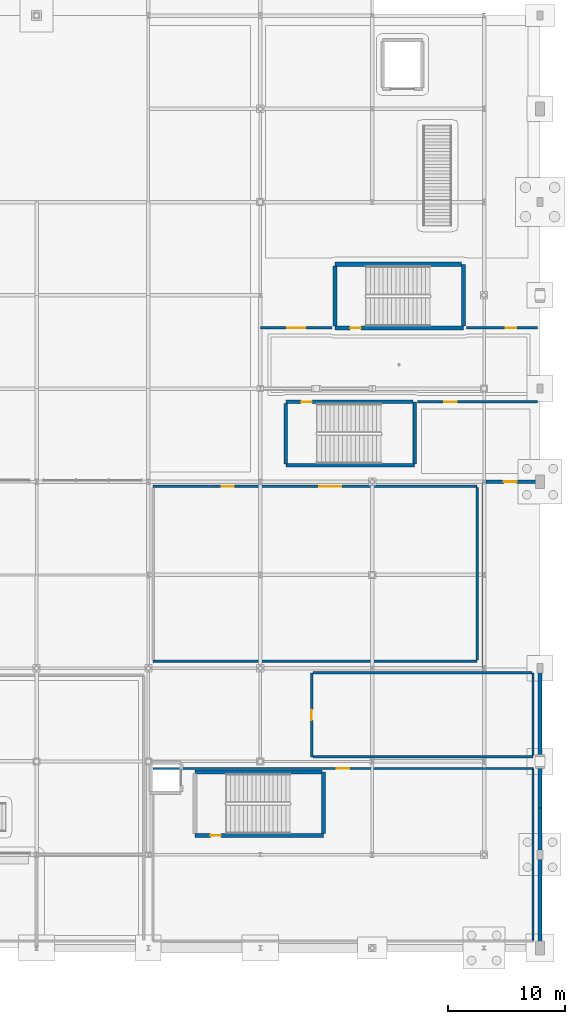
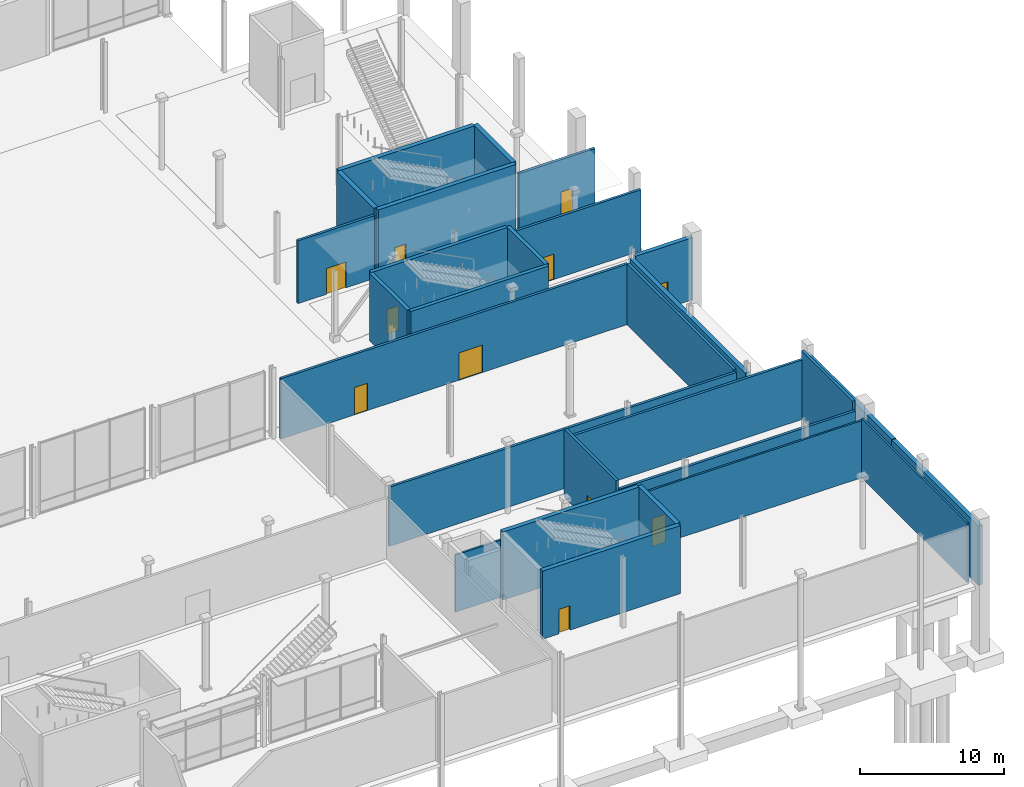
# One storey, part 82 of 124: 27 walls, 11 doors, 11 openings.
"""IFC4 building model written with IfcOpenShell, lengths in metres."""

from ifc_helpers import new_model, si_unit, direction, frame, frame_2d, origin, place, context, subcontext, project, spatial, rectangle, extrude, material, layer, layer_set, type_object, element, fill, save


model = new_model("IFC4")

# Units and contexts
model_context = context("Model", 3, precision=1e-05, world=origin(), true_north=direction((0.0, 1.0)))
body_context = subcontext(model_context, "Body", "Model", "MODEL_VIEW")
ifc_project = project(units=[si_unit("LENGTHUNIT", "METRE"), si_unit("AREAUNIT", "SQUARE_METRE"), si_unit("VOLUMEUNIT", "CUBIC_METRE"), si_unit("PLANEANGLEUNIT", "RADIAN"), si_unit("MASSUNIT", "GRAM", prefix="KILO")], contexts=[model_context])

# Site, building, storey
site_placement = place(None, origin())
site = spatial("IfcSite", under=ifc_project, at=site_placement, CompositionType="ELEMENT")
building_placement = place(site_placement, origin())
building = spatial("IfcBuilding", under=site, at=building_placement, Name="Danafjord Basin Convention Centre", CompositionType="ELEMENT")
storey_placement = place(building_placement, origin())
storey = spatial("IfcBuildingStorey", under=building, at=storey_placement, Name="L00", CompositionType="ELEMENT", Elevation=0.0)

# Walls
ifc_material_1 = material(Name="Concrete C40/50", Category="concrete")
ifc_layer_1 = layer(ifc_material_1, 0.300048828125)
ifc_layer_set_1 = layer_set([ifc_layer_1], Name="Concrete C40/50")
wall_type_1 = type_object("IfcWallType", Name="WALL-CW-CORE300", PredefinedType="SHEAR", material=ifc_layer_set_1)
wall_1_placement = place(storey_placement, frame((205.239990234375, 41.39990234375, 0.0), z_axis=(0.0, 0.0, 1.0), x_axis=(-1.0, 0.0, 0.0)))
element("IfcWall", 1, at=wall_1_placement, inside=storey, type_object=wall_type_1, Name="Ballroom South-East Escape Stair core shear wall (south)", PredefinedType="SHEAR", context=body_context, shape_type="SweptSolid", body=[
    extrude(rectangle(XDim=11.0400390625, YDim=0.300048828125, at=frame_2d((5.52001953125, 0.0))), origin(), (0.0, 0.0, 1.0), 5.75),
])
wall_2_placement = place(storey_placement, frame((205.239990234375, 46.860107421875, 0.0), z_axis=(0.0, 0.0, 1.0), x_axis=(0.0, -1.0, 0.0)))
element("IfcWall", 2, at=wall_2_placement, inside=storey, type_object=wall_type_1, Name="Ballroom South-East Escape Stair core shear wall (east)", PredefinedType="SHEAR", context=body_context, shape_type="SweptSolid", body=[
    extrude(rectangle(XDim=5.3251953125, YDim=0.300048828125, at=frame_2d((2.66259765625, 0.0))), origin(), (0.0, 0.0, 1.0), 5.75),
])

# Wall, opening, door
wall_3_placement = place(storey_placement, frame((194.199951171875, 46.860107421875, 0.0), z_axis=(0.0, 0.0, 1.0), x_axis=(1.0, 0.0, 0.0)))
wall_3 = element("IfcWall", 3, at=wall_3_placement, inside=storey, type_object=wall_type_1, Name="Ballroom South-East Escape Stair core shear wall (north)", PredefinedType="SHEAR", context=body_context, shape_type="SweptSolid", body=[
    extrude(rectangle(XDim=10.905029296875, YDim=0.300048828125, at=frame_2d((5.45263671875, 0.0))), origin(), (0.0, 0.0, 1.0), 5.75),
])
opening_1_placement = place(wall_3_placement, frame((1.31103515625, 0.0, 0.0)))
opening_1 = element("IfcOpeningElement", 4, at=opening_1_placement, cuts=wall_3, Name="Opening FD-S01", PredefinedType="OPENING", context=body_context, shape_type="SweptSolid", body=[
    extrude(rectangle(XDim=0.909912109375, YDim=2.080078125, at=frame_2d((0.455078125, 1.0400390625))), frame((0.0, 0.159912109375, 0.0), z_axis=(0.0, -1.0, 0.0), x_axis=(1.0, 0.0, 0.0)), (0.0, 0.0, 1.0), 0.320068359375),
])
ifc_material_2 = material(Name="Powder-coated steel and Nordic oak", Category="steel")
door_type_1 = type_object("IfcDoorType", Name="DOOR-FD-S01", OperationType="NOTDEFINED", PredefinedType="DOOR", material=ifc_material_2)
door_1_placement = place(opening_1_placement, origin())
door_1 = element("IfcDoor", 5, at=door_1_placement, inside=storey, type_object=door_type_1, Name="Ballroom South-East Escape Stair L00 Fire Exit Door", OperationType="SINGLE_SWING_LEFT", OverallHeight=2.080078125, OverallWidth=0.909912109375, PredefinedType="DOOR", context=body_context, shape_type="SweptSolid", body=[
    extrude(rectangle(XDim=0.909912109375, YDim=2.080078125, at=frame_2d((0.455078125, 1.0400390625))), frame((0.0, 0.02490234375, 0.0), z_axis=(0.0, -1.0, 0.0), x_axis=(1.0, 0.0, 0.0)), (0.0, 0.0, 1.0), 0.050048828125),
])
fill(opening_1, door_1)

# Wall
wall_4_placement = place(storey_placement, frame((194.199951171875, 41.534912109375, 0.0), z_axis=(0.0, 0.0, 1.0), x_axis=(0.0, 1.0, 0.0)))
element("IfcWall", 6, at=wall_4_placement, inside=storey, type_object=wall_type_1, Name="Ballroom South-East Escape Stair core shear wall (west)", PredefinedType="SHEAR", context=body_context, shape_type="SweptSolid", body=[
    extrude(rectangle(XDim=5.190185546875, YDim=0.300048828125, at=frame_2d((2.59521484375, 0.0))), origin(), (0.0, 0.0, 1.0), 5.75),
])

# Wall, opening, door
ifc_material_3 = material(Name="Concrete C45/55", Category="concrete")
ifc_layer_2 = layer(ifc_material_3, 0.35009765625)
ifc_layer_set_2 = layer_set([ifc_layer_2], Name="Concrete C45/55")
wall_type_2 = type_object("IfcWallType", Name="WALL-CW-CORE350", PredefinedType="SHEAR", material=ifc_layer_set_2)
wall_5_placement = place(storey_placement, frame((209.43994140625, 53.199951171875, 0.0), z_axis=(0.0, 0.0, 1.0), x_axis=(-1.0, 0.0, 0.0)))
wall_5 = element("IfcWall", 7, at=wall_5_placement, inside=storey, type_object=wall_type_2, Name="Ballroom East Core Stair 1 core shear wall (south)", PredefinedType="SHEAR", context=body_context, shape_type="SweptSolid", body=[
    extrude(rectangle(XDim=11.0400390625, YDim=0.35009765625, at=frame_2d((5.52001953125, 0.0))), origin(), (0.0, 0.0, 1.0), 5.75),
])
opening_2_placement = place(wall_5_placement, frame((8.818115234375, 0.0, 0.0)))
opening_2 = element("IfcOpeningElement", 8, at=opening_2_placement, cuts=wall_5, Name="Opening FD-S01", PredefinedType="OPENING", context=body_context, shape_type="SweptSolid", body=[
    extrude(rectangle(XDim=0.909912109375, YDim=2.080078125, at=frame_2d((0.455078125, 1.0400390625))), frame((0.0, 0.18505859375, 0.0), z_axis=(0.0, -1.0, 0.0), x_axis=(1.0, 0.0, 0.0)), (0.0, 0.0, 1.0), 0.3701171875),
])
door_2_placement = place(opening_2_placement, origin())
door_2 = element("IfcDoor", 9, at=door_2_placement, inside=storey, type_object=door_type_1, Name="Ballroom East Core Stair 1 L00 Fire Exit Door", OperationType="SINGLE_SWING_LEFT", OverallHeight=2.080078125, OverallWidth=0.909912109375, PredefinedType="DOOR", context=body_context, shape_type="SweptSolid", body=[
    extrude(rectangle(XDim=0.909912109375, YDim=2.080078125, at=frame_2d((0.455078125, 1.0400390625))), frame((0.0, 0.02490234375, 0.0), z_axis=(0.0, -1.0, 0.0), x_axis=(1.0, 0.0, 0.0)), (0.0, 0.0, 1.0), 0.050048828125),
])
fill(opening_2, door_2)

# Walls
wall_6_placement = place(storey_placement, frame((209.43994140625, 58.659912109375, 0.0), z_axis=(0.0, 0.0, 1.0), x_axis=(0.0, -1.0, 0.0)))
element("IfcWall", 10, at=wall_6_placement, inside=storey, type_object=wall_type_2, Name="Ballroom East Core Stair 1 core shear wall (east)", PredefinedType="SHEAR", context=body_context, shape_type="SweptSolid", body=[
    extrude(rectangle(XDim=5.2998046875, YDim=0.35009765625, at=frame_2d((2.64990234375, 0.0))), origin(), (0.0, 0.0, 1.0), 5.75),
])
wall_7_placement = place(storey_placement, frame((198.39990234375, 58.659912109375, 0.0), z_axis=(0.0, 0.0, 1.0), x_axis=(1.0, 0.0, 0.0)))
element("IfcWall", 11, at=wall_7_placement, inside=storey, type_object=wall_type_2, Name="Ballroom East Core Stair 1 core shear wall (north)", PredefinedType="SHEAR", context=body_context, shape_type="SweptSolid", body=[
    extrude(rectangle(XDim=10.880126953125, YDim=0.35009765625, at=frame_2d((5.43994140625, 0.0))), origin(), (0.0, 0.0, 1.0), 5.75),
])
wall_8_placement = place(storey_placement, frame((198.39990234375, 53.360107421875, 0.0), z_axis=(0.0, 0.0, 1.0), x_axis=(0.0, 1.0, 0.0)))
element("IfcWall", 12, at=wall_8_placement, inside=storey, type_object=wall_type_2, Name="Ballroom East Core Stair 1 core shear wall (west)", PredefinedType="SHEAR", context=body_context, shape_type="SweptSolid", body=[
    extrude(rectangle(XDim=5.139892578125, YDim=0.35009765625, at=frame_2d((2.56982421875, 0.0))), origin(), (0.0, 0.0, 1.0), 5.75),
])

# Wall, opening, door
wall_9_placement = place(storey_placement, frame((197.43994140625, 9.64990234375, 0.0), z_axis=(0.0, 0.0, 1.0), x_axis=(-1.0, 0.0, 0.0)))
wall_9 = element("IfcWall", 13, at=wall_9_placement, inside=storey, type_object=wall_type_2, Name="Harbour Pavilion Core Stair 1 core shear wall (south)", PredefinedType="SHEAR", context=body_context, shape_type="SweptSolid", body=[
    extrude(rectangle(XDim=11.0400390625, YDim=0.35009765625, at=frame_2d((5.52001953125, 0.0))), origin(), (0.0, 0.0, 1.0), 5.77001953125),
])
opening_3_placement = place(wall_9_placement, frame((8.818115234375, 0.0, 0.0)))
opening_3 = element("IfcOpeningElement", 14, at=opening_3_placement, cuts=wall_9, Name="Opening FD-S01", PredefinedType="OPENING", context=body_context, shape_type="SweptSolid", body=[
    extrude(rectangle(XDim=0.909912109375, YDim=2.080078125, at=frame_2d((0.455078125, 1.0400390625))), frame((0.0, 0.18505859375, 0.0), z_axis=(0.0, -1.0, 0.0), x_axis=(1.0, 0.0, 0.0)), (0.0, 0.0, 1.0), 0.3701171875),
])
door_3_placement = place(opening_3_placement, origin())
door_3 = element("IfcDoor", 15, at=door_3_placement, inside=storey, type_object=door_type_1, Name="Harbour Pavilion Core Stair 1 L00 Fire Exit Door", OperationType="SINGLE_SWING_RIGHT", OverallHeight=2.080078125, OverallWidth=0.909912109375, PredefinedType="DOOR", context=body_context, shape_type="SweptSolid", body=[
    extrude(rectangle(XDim=0.909912109375, YDim=2.080078125, at=frame_2d((0.455078125, 1.0400390625))), frame((0.0, 0.02490234375, 0.0), z_axis=(0.0, -1.0, 0.0), x_axis=(1.0, 0.0, 0.0)), (0.0, 0.0, 1.0), 0.050048828125),
])
fill(opening_3, door_3)

# Walls
wall_10_placement = place(storey_placement, frame((197.43994140625, 15.110107421875, 0.0), z_axis=(0.0, 0.0, 1.0), x_axis=(0.0, -1.0, 0.0)))
element("IfcWall", 16, at=wall_10_placement, inside=storey, type_object=wall_type_2, Name="Harbour Pavilion Core Stair 1 core shear wall (east)", PredefinedType="SHEAR", context=body_context, shape_type="SweptSolid", body=[
    extrude(rectangle(XDim=5.300048828125, YDim=0.35009765625, at=frame_2d((2.64990234375, 0.0))), origin(), (0.0, 0.0, 1.0), 5.77001953125),
])
wall_11_placement = place(storey_placement, frame((186.39990234375, 15.110107421875, 0.0), z_axis=(0.0, 0.0, 1.0), x_axis=(1.0, 0.0, 0.0)))
element("IfcWall", 17, at=wall_11_placement, inside=storey, type_object=wall_type_2, Name="Harbour Pavilion Core Stair 1 core shear wall (north)", PredefinedType="SHEAR", context=body_context, shape_type="SweptSolid", body=[
    extrude(rectangle(XDim=10.880126953125, YDim=0.35009765625, at=frame_2d((5.43994140625, 0.0))), origin(), (0.0, 0.0, 1.0), 5.77001953125),
])
ifc_material_4 = material(Name="Precast concrete C40/50", Category="concrete")
ifc_layer_3 = layer(ifc_material_4, 0.340087890625)
ifc_layer_set_3 = layer_set([ifc_layer_3], Name="Precast concrete C40/50")
wall_type_3 = type_object("IfcWallType", Name="WALL-EW-PC340", PredefinedType="SOLIDWALL", material=ifc_layer_set_3)
wall_12_placement = place(storey_placement, frame((216.0, 0.0, 0.0), z_axis=(0.0, 0.0, 1.0), x_axis=(0.0, 1.0, 0.0)))
element("IfcWall", 18, at=wall_12_placement, inside=storey, type_object=wall_type_3, Name="L00 east congress wing facade wall", PredefinedType="SOLIDWALL", context=body_context, shape_type="SweptSolid", body=[
    extrude(rectangle(XDim=12.0, YDim=0.340087890625, at=frame_2d((6.0, 0.0))), origin(), (0.0, 0.0, 1.0), 5.0400390625),
])
wall_13_placement = place(storey_placement, frame((216.0, 12.0, 0.0), z_axis=(0.0, 0.0, 1.0), x_axis=(0.0, 1.0, 0.0)))
element("IfcWall", 19, at=wall_13_placement, inside=storey, type_object=wall_type_3, Name="L00 east congress wing facade wall", PredefinedType="SOLIDWALL", context=body_context, shape_type="SweptSolid", body=[
    extrude(rectangle(XDim=12.0, YDim=0.340087890625, at=frame_2d((6.0, 0.0))), origin(), (0.0, 0.0, 1.0), 5.090087890625),
])
wall_14_placement = place(storey_placement, frame((211.199951171875, 40.0, 0.0), z_axis=(0.0, 0.0, 1.0), x_axis=(0.0, -1.0, 0.0)))
element("IfcWall", 20, at=wall_14_placement, inside=storey, type_object=wall_type_3, Name="L00 south-east exit court west facade wall", PredefinedType="SOLIDWALL", context=body_context, shape_type="SweptSolid", body=[
    extrude(rectangle(XDim=16.0, YDim=0.340087890625, at=frame_2d((8.0, 0.0))), origin(), (0.0, 0.0, 1.0), 5.090087890625),
])

# Wall, opening, door
wall_15_placement = place(storey_placement, frame((216.0, 40.0, 0.0), z_axis=(0.0, 0.0, 1.0), x_axis=(-1.0, 0.0, 0.0)))
wall_15 = element("IfcWall", 21, at=wall_15_placement, inside=storey, type_object=wall_type_3, Name="L00 south-east exit court north facade wall", PredefinedType="SOLIDWALL", context=body_context, shape_type="SweptSolid", body=[
    extrude(rectangle(XDim=4.6259765625, YDim=0.340087890625, at=frame_2d((2.31298828125, 0.0))), origin(), (0.0, 0.0, 1.0), 5.27001953125),
])
opening_4_placement = place(wall_15_placement, frame((2.0048828125, 0.0, 0.0)))
opening_4 = element("IfcOpeningElement", 22, at=opening_4_placement, cuts=wall_15, Name="Opening ED-06", PredefinedType="OPENING", context=body_context, shape_type="SweptSolid", body=[
    extrude(rectangle(XDim=1.090087890625, YDim=2.219970703125, at=frame_2d((0.544921875, 1.10986328125))), frame((0.0, 0.179931640625, 0.0), z_axis=(0.0, -1.0, 0.0), x_axis=(1.0, 0.0, 0.0)), (0.0, 0.0, 1.0), 0.360107421875),
])
ifc_material_5 = material(Name="Thermally broken anodised aluminium and steel", Category="steel")
door_type_2 = type_object("IfcDoorType", Name="DOOR-ED-06", OperationType="SINGLE_SWING_LEFT", PredefinedType="DOOR", material=ifc_material_5)
door_4_placement = place(opening_4_placement, origin())
door_4 = element("IfcDoor", 23, at=door_4_placement, inside=storey, type_object=door_type_2, Name="Ballroom Core Stairs Final Exit Door", OperationType="SINGLE_SWING_LEFT", OverallHeight=2.219970703125, OverallWidth=1.090087890625, PredefinedType="DOOR", context=body_context, shape_type="SweptSolid", body=[
    extrude(rectangle(XDim=1.090087890625, YDim=2.219970703125, at=frame_2d((0.544921875, 1.10986328125))), frame((0.0, 0.02490234375, 0.0), z_axis=(0.0, -1.0, 0.0), x_axis=(1.0, 0.0, 0.0)), (0.0, 0.0, 1.0), 0.050048828125),
])
fill(opening_4, door_4)

ifc_material_6 = material(Name="Fire-rated gypsum metal-stud partition")
ifc_layer_4 = layer(ifc_material_6, 0.14990234375)
ifc_layer_set_4 = layer_set([ifc_layer_4], Name="Fire-rated gypsum metal-stud partition")
wall_type_4 = type_object("IfcWallType", Name="WALL-PT-ST150", PredefinedType="PARTITIONING", material=ifc_layer_set_4)
wall_16_placement = place(storey_placement, frame((215.39990234375, 15.39990234375, 0.0), z_axis=(0.0, 0.0, 1.0), x_axis=(-1.0, 0.0, 0.0)))
wall_16 = element("IfcWall", 24, at=wall_16_placement, inside=storey, type_object=wall_type_4, Name="Harbour Visitor Business Centre north partition", PredefinedType="PARTITIONING", context=body_context, shape_type="SweptSolid", body=[
    extrude(rectangle(XDim=32.599853515625, YDim=0.14990234375, at=frame_2d((16.2998046875, 0.0))), origin(), (0.0, 0.0, 1.0), 4.840087890625),
])
opening_5_placement = place(wall_16_placement, frame((15.760009765625, 0.0, 0.0)))
opening_5 = element("IfcOpeningElement", 25, at=opening_5_placement, cuts=wall_16, Name="Opening FD-S26", PredefinedType="OPENING", context=body_context, shape_type="SweptSolid", body=[
    extrude(rectangle(XDim=1.080078125, YDim=2.3798828125, at=frame_2d((0.5400390625, 1.18994140625))), frame((0.0, 0.0849609375, 0.0), z_axis=(0.0, -1.0, 0.0), x_axis=(1.0, 0.0, 0.0)), (0.0, 0.0, 1.0), 0.169921875),
])
door_type_3 = type_object("IfcDoorType", Name="DOOR-FD-S26", OperationType="NOTDEFINED", PredefinedType="DOOR", material=ifc_material_2)
door_5_placement = place(opening_5_placement, origin())
door_5 = element("IfcDoor", 26, at=door_5_placement, inside=storey, type_object=door_type_3, Name="Harbour Visitor Business Centre Entrance Door", OperationType="SINGLE_SWING_RIGHT", OverallHeight=2.3798828125, OverallWidth=1.080078125, PredefinedType="DOOR", context=body_context, shape_type="SweptSolid", body=[
    extrude(rectangle(XDim=1.080078125, YDim=2.3798828125, at=frame_2d((0.5400390625, 1.18994140625))), frame((0.0, 0.02490234375, 0.0), z_axis=(0.0, -1.0, 0.0), x_axis=(1.0, 0.0, 0.0)), (0.0, 0.0, 1.0), 0.050048828125),
])
fill(opening_5, door_5)

# Wall
wall_17_placement = place(storey_placement, frame((215.39990234375, 0.678955078125, 0.0), z_axis=(0.0, 0.0, 1.0), x_axis=(0.0, 1.0, 0.0)))
element("IfcWall", 27, at=wall_17_placement, inside=storey, type_object=wall_type_4, Name="Harbour Visitor Business Centre east partition", PredefinedType="PARTITIONING", context=body_context, shape_type="SweptSolid", body=[
    extrude(rectangle(XDim=14.64208984375, YDim=0.14990234375, at=frame_2d((7.321044921875, 0.0))), origin(), (0.0, 0.0, 1.0), 5.0400390625),
])

# Wall, openings, doors
ifc_material_7 = material(Name="Concrete C35/45", Category="concrete")
ifc_layer_5 = layer(ifc_material_7, 0.205078125)
ifc_layer_set_5 = layer_set([ifc_layer_5], Name="Concrete C35/45")
wall_type_5 = type_object("IfcWallType", Name="WALL-W-COMP205", PredefinedType="SOLIDWALL", material=ifc_layer_set_5)
wall_18_placement = place(storey_placement, frame((210.60009765625, 39.60009765625, 0.0), z_axis=(0.0, 0.0, 1.0), x_axis=(-1.0, 0.0, 0.0)))
wall_18 = element("IfcWall", 28, at=wall_18_placement, inside=storey, type_object=wall_type_5, Name="Ballroom Finishing Kitchen north partition", PredefinedType="SOLIDWALL", context=body_context, shape_type="SweptSolid", body=[
    extrude(rectangle(XDim=27.800048828125, YDim=0.205078125, at=frame_2d((13.89990234375, 0.0))), origin(), (0.0, 0.0, 1.0), 5.1201171875),
])
opening_6_placement = place(wall_18_placement, frame((11.673095703125, 0.0, 0.0)))
opening_6 = element("IfcOpeningElement", 29, at=opening_6_placement, cuts=wall_18, Name="Opening FD-D09", PredefinedType="OPENING", context=body_context, shape_type="SweptSolid", body=[
    extrude(rectangle(XDim=1.860107421875, YDim=2.320068359375, at=frame_2d((0.93017578125, 1.16015625))), frame((0.0, 0.112548828125, 0.0), z_axis=(0.0, -1.0, 0.0), x_axis=(1.0, 0.0, 0.0)), (0.0, 0.0, 1.0), 0.22509765625),
])
opening_7_placement = place(wall_18_placement, frame((20.887939453125, 0.0, 0.0)))
opening_7 = element("IfcOpeningElement", 30, at=opening_7_placement, cuts=wall_18, Name="Opening FD-S24", PredefinedType="OPENING", context=body_context, shape_type="SweptSolid", body=[
    extrude(rectangle(XDim=1.02001953125, YDim=2.320068359375, at=frame_2d((0.510009765625, 1.16015625))), frame((0.0, 0.112548828125, 0.0), z_axis=(0.0, -1.0, 0.0), x_axis=(1.0, 0.0, 0.0)), (0.0, 0.0, 1.0), 0.22509765625),
])
ifc_material_8 = material(Name="Brushed stainless steel and acoustic laminated glass", Category="steel")
door_type_4 = type_object("IfcDoorType", Name="DOOR-FD-D09", OperationType="DOUBLE_DOOR_SINGLE_SWING", PredefinedType="DOOR", material=ifc_material_8)
door_6_placement = place(opening_6_placement, origin())
door_6 = element("IfcDoor", 31, at=door_6_placement, inside=storey, type_object=door_type_4, Name="Ballroom Finishing Kitchen Entrance Door", OperationType="DOUBLE_DOOR_SINGLE_SWING", OverallHeight=2.320068359375, OverallWidth=1.860107421875, PredefinedType="DOOR", context=body_context, shape_type="SweptSolid", body=[
    extrude(rectangle(XDim=1.860107421875, YDim=2.320068359375, at=frame_2d((0.93017578125, 1.16015625))), frame((0.0, 0.02490234375, 0.0), z_axis=(0.0, -1.0, 0.0), x_axis=(1.0, 0.0, 0.0)), (0.0, 0.0, 1.0), 0.050048828125),
])
fill(opening_6, door_6)
door_type_5 = type_object("IfcDoorType", Name="DOOR-FD-S24", OperationType="NOTDEFINED", PredefinedType="DOOR", material=ifc_material_2)
door_7_placement = place(opening_7_placement, origin())
door_7 = element("IfcDoor", 32, at=door_7_placement, inside=storey, type_object=door_type_5, Name="Ballroom Finishing Kitchen Secondary Exit Door", OperationType="SINGLE_SWING_RIGHT", OverallHeight=2.320068359375, OverallWidth=1.02001953125, PredefinedType="DOOR", context=body_context, shape_type="SweptSolid", body=[
    extrude(rectangle(XDim=1.02001953125, YDim=2.320068359375, at=frame_2d((0.510009765625, 1.16015625))), frame((0.0, 0.02490234375, 0.0), z_axis=(0.0, -1.0, 0.0), x_axis=(1.0, 0.0, 0.0)), (0.0, 0.0, 1.0), 0.050048828125),
])
fill(opening_7, door_7)

# Walls
wall_19_placement = place(storey_placement, frame((182.800048828125, 24.60009765625, 0.0), z_axis=(0.0, 0.0, 1.0), x_axis=(1.0, 0.0, 0.0)))
element("IfcWall", 33, at=wall_19_placement, inside=storey, type_object=wall_type_5, Name="Ballroom Finishing Kitchen south partition", PredefinedType="SOLIDWALL", context=body_context, shape_type="SweptSolid", body=[
    extrude(rectangle(XDim=27.800048828125, YDim=0.205078125, at=frame_2d((13.89990234375, 0.0))), origin(), (0.0, 0.0, 1.0), 5.02001953125),
])
wall_20_placement = place(storey_placement, frame((210.60009765625, 24.70654296875, 0.0), z_axis=(0.0, 0.0, 1.0), x_axis=(0.0, 1.0, 0.0)))
element("IfcWall", 34, at=wall_20_placement, inside=storey, type_object=wall_type_5, Name="Ballroom Finishing Kitchen east partition", PredefinedType="SOLIDWALL", context=body_context, shape_type="SweptSolid", body=[
    extrude(rectangle(XDim=14.786865234375, YDim=0.205078125, at=frame_2d((7.3935546875, 0.0))), origin(), (0.0, 0.0, 1.0), 5.169921875),
])

# Wall, opening, door
wall_21_placement = place(storey_placement, frame((196.39990234375, 23.60009765625, 0.0), z_axis=(0.0, 0.0, 1.0), x_axis=(0.0, -1.0, 0.0)))
wall_21 = element("IfcWall", 35, at=wall_21_placement, inside=storey, type_object=wall_type_5, Name="Delegate Cloakroom and Baggage Store west partition", PredefinedType="SOLIDWALL", context=body_context, shape_type="SweptSolid", body=[
    extrude(rectangle(XDim=7.2001953125, YDim=0.205078125, at=frame_2d((3.60009765625, 0.0))), origin(), (0.0, 0.0, 1.0), 5.77001953125),
])
opening_8_placement = place(wall_21_placement, frame((3.14501953125, 0.0, 0.0)))
opening_8 = element("IfcOpeningElement", 36, at=opening_8_placement, cuts=wall_21, Name="Opening FD-S01", PredefinedType="OPENING", context=body_context, shape_type="SweptSolid", body=[
    extrude(rectangle(XDim=0.909912109375, YDim=2.080078125, at=frame_2d((0.455078125, 1.0400390625))), frame((0.0, 0.112548828125, 0.0), z_axis=(0.0, -1.0, 0.0), x_axis=(1.0, 0.0, 0.0)), (0.0, 0.0, 1.0), 0.22509765625),
])
door_8_placement = place(opening_8_placement, origin())
door_8 = element("IfcDoor", 37, at=door_8_placement, inside=storey, type_object=door_type_1, Name="Delegate Cloakroom and Baggage Store Entrance Door", OperationType="SINGLE_SWING_LEFT", OverallHeight=2.080078125, OverallWidth=0.909912109375, PredefinedType="DOOR", context=body_context, shape_type="SweptSolid", body=[
    extrude(rectangle(XDim=0.909912109375, YDim=2.080078125, at=frame_2d((0.455078125, 1.0400390625))), frame((0.0, 0.02490234375, 0.0), z_axis=(0.0, -1.0, 0.0), x_axis=(1.0, 0.0, 0.0)), (0.0, 0.0, 1.0), 0.050048828125),
])
fill(opening_8, door_8)

# Walls
wall_22_placement = place(storey_placement, frame((196.506591796875, 16.39990234375, 0.0), z_axis=(0.0, 0.0, 1.0), x_axis=(1.0, 0.0, 0.0)))
element("IfcWall", 38, at=wall_22_placement, inside=storey, type_object=wall_type_5, Name="Delegate Cloakroom and Baggage Store south partition", PredefinedType="SOLIDWALL", context=body_context, shape_type="SweptSolid", body=[
    extrude(rectangle(XDim=18.893310546875, YDim=0.205078125, at=frame_2d((9.44677734375, 0.0))), origin(), (0.0, 0.0, 1.0), 5.0400390625),
])
wall_23_placement = place(storey_placement, frame((215.39990234375, 16.506591796875, 0.0), z_axis=(0.0, 0.0, 1.0), x_axis=(0.0, 1.0, 0.0)))
element("IfcWall", 39, at=wall_23_placement, inside=storey, type_object=wall_type_5, Name="Delegate Cloakroom and Baggage Store east partition", PredefinedType="SOLIDWALL", context=body_context, shape_type="SweptSolid", body=[
    extrude(rectangle(XDim=7.093505859375, YDim=0.205078125, at=frame_2d((3.546875, 0.0))), origin(), (0.0, 0.0, 1.0), 5.77001953125),
])
wall_24_placement = place(storey_placement, frame((215.29345703125, 23.60009765625, 0.0), z_axis=(0.0, 0.0, 1.0), x_axis=(-1.0, 0.0, 0.0)))
element("IfcWall", 40, at=wall_24_placement, inside=storey, type_object=wall_type_5, Name="Delegate Cloakroom and Baggage Store north partition", PredefinedType="SOLIDWALL", context=body_context, shape_type="SweptSolid", body=[
    extrude(rectangle(XDim=18.786865234375, YDim=0.205078125, at=frame_2d((9.3935546875, 0.0))), origin(), (0.0, 0.0, 1.0), 5.0400390625),
])

# Wall, opening, door
wall_25_placement = place(storey_placement, frame((192.0, 53.199951171875, 0.0), z_axis=(0.0, 0.0, 1.0), x_axis=(1.0, 0.0, 0.0)))
wall_25 = element("IfcWall", 41, at=wall_25_placement, inside=storey, type_object=wall_type_5, Name="Ballroom Protected Exit Passage west foyer wall", PredefinedType="SOLIDWALL", context=body_context, shape_type="SweptSolid", body=[
    extrude(rectangle(XDim=6.14990234375, YDim=0.205078125, at=frame_2d((3.074951171875, 0.0))), origin(), (0.0, 0.0, 1.0), 5.320068359375),
])
opening_9_placement = place(wall_25_placement, frame((2.294921875, 0.0, 0.0)))
opening_9 = element("IfcOpeningElement", 42, at=opening_9_placement, cuts=wall_25, Name="Opening FD-D01", PredefinedType="OPENING", context=body_context, shape_type="SweptSolid", body=[
    extrude(rectangle(XDim=1.56005859375, YDim=2.179931640625, at=frame_2d((0.780029296875, 1.08984375))), frame((0.0, 0.112548828125, 0.0), z_axis=(0.0, -1.0, 0.0), x_axis=(1.0, 0.0, 0.0)), (0.0, 0.0, 1.0), 0.22509765625),
])
door_type_6 = type_object("IfcDoorType", Name="DOOR-FD-D01", OperationType="DOUBLE_DOOR_SINGLE_SWING", PredefinedType="DOOR", material=ifc_material_8)
door_9_placement = place(opening_9_placement, origin())
door_9 = element("IfcDoor", 43, at=door_9_placement, inside=storey, type_object=door_type_6, Name="Ballroom Foyer to Protected Exit Passage Fire Door", OperationType="DOUBLE_DOOR_SINGLE_SWING", OverallHeight=2.179931640625, OverallWidth=1.56005859375, PredefinedType="DOOR", context=body_context, shape_type="SweptSolid", body=[
    extrude(rectangle(XDim=1.56005859375, YDim=2.179931640625, at=frame_2d((0.780029296875, 1.08984375))), frame((0.0, 0.02490234375, 0.0), z_axis=(0.0, -1.0, 0.0), x_axis=(1.0, 0.0, 0.0)), (0.0, 0.0, 1.0), 0.050048828125),
])
fill(opening_9, door_9)

wall_26_placement = place(storey_placement, frame((209.68994140625, 53.199951171875, 0.0), z_axis=(0.0, 0.0, 1.0), x_axis=(1.0, 0.0, 0.0)))
wall_26 = element("IfcWall", 44, at=wall_26_placement, inside=storey, type_object=wall_type_5, Name="Ballroom Protected Exit Passage east foyer wall", PredefinedType="SOLIDWALL", context=body_context, shape_type="SweptSolid", body=[
    extrude(rectangle(XDim=6.110107421875, YDim=0.205078125, at=frame_2d((3.05517578125, 0.0))), origin(), (0.0, 0.0, 1.0), 4.820068359375),
])
opening_10_placement = place(wall_26_placement, frame((3.3798828125, 0.0, 0.0)))
opening_10 = element("IfcOpeningElement", 45, at=opening_10_placement, cuts=wall_26, Name="Opening FD-S01", PredefinedType="OPENING", context=body_context, shape_type="SweptSolid", body=[
    extrude(rectangle(XDim=0.909912109375, YDim=2.080078125, at=frame_2d((0.455078125, 1.0400390625))), frame((0.0, 0.112548828125, 0.0), z_axis=(0.0, -1.0, 0.0), x_axis=(1.0, 0.0, 0.0)), (0.0, 0.0, 1.0), 0.22509765625),
])
door_10_placement = place(opening_10_placement, origin())
door_10 = element("IfcDoor", 46, at=door_10_placement, inside=storey, type_object=door_type_1, Name="East Ballroom Foyer Protected Exit Door", OperationType="SINGLE_SWING_RIGHT", OverallHeight=2.080078125, OverallWidth=0.909912109375, PredefinedType="DOOR", context=body_context, shape_type="SweptSolid", body=[
    extrude(rectangle(XDim=0.909912109375, YDim=2.080078125, at=frame_2d((0.455078125, 1.0400390625))), frame((0.0, 0.02490234375, 0.0), z_axis=(0.0, -1.0, 0.0), x_axis=(1.0, 0.0, 0.0)), (0.0, 0.0, 1.0), 0.050048828125),
])
fill(opening_10, door_10)

wall_27_placement = place(storey_placement, frame((205.489990234375, 46.860107421875, 0.0), z_axis=(0.0, 0.0, 1.0), x_axis=(1.0, 0.0, 0.0)))
wall_27 = element("IfcWall", 47, at=wall_27_placement, inside=storey, type_object=wall_type_5, Name="Ballroom Protected Exit Vestibule cross wall", PredefinedType="SOLIDWALL", context=body_context, shape_type="SweptSolid", body=[
    extrude(rectangle(XDim=10.31005859375, YDim=0.205078125, at=frame_2d((5.155029296875, 0.0))), origin(), (0.0, 0.0, 1.0), 5.169921875),
])
opening_11_placement = place(wall_27_placement, frame((2.31298828125, 0.0, 0.0)))
opening_11 = element("IfcOpeningElement", 48, at=opening_11_placement, cuts=wall_27, Name="Opening FD-S06", PredefinedType="OPENING", context=body_context, shape_type="SweptSolid", body=[
    extrude(rectangle(XDim=1.06005859375, YDim=2.159912109375, at=frame_2d((0.530029296875, 1.080078125))), frame((0.0, 0.112548828125, 0.0), z_axis=(0.0, -1.0, 0.0), x_axis=(1.0, 0.0, 0.0)), (0.0, 0.0, 1.0), 0.22509765625),
])
door_type_7 = type_object("IfcDoorType", Name="DOOR-FD-S06", OperationType="NOTDEFINED", PredefinedType="DOOR", material=ifc_material_2)
door_11_placement = place(opening_11_placement, origin())
door_11 = element("IfcDoor", 49, at=door_11_placement, inside=storey, type_object=door_type_7, Name="Ballroom Protected Exit Vestibule Fire Door", OperationType="SINGLE_SWING_LEFT", OverallHeight=2.159912109375, OverallWidth=1.06005859375, PredefinedType="DOOR", context=body_context, shape_type="SweptSolid", body=[
    extrude(rectangle(XDim=1.06005859375, YDim=2.159912109375, at=frame_2d((0.530029296875, 1.080078125))), frame((0.0, 0.02490234375, 0.0), z_axis=(0.0, -1.0, 0.0), x_axis=(1.0, 0.0, 0.0)), (0.0, 0.0, 1.0), 0.050048828125),
])
fill(opening_11, door_11)

save(model, "model.ifc")
